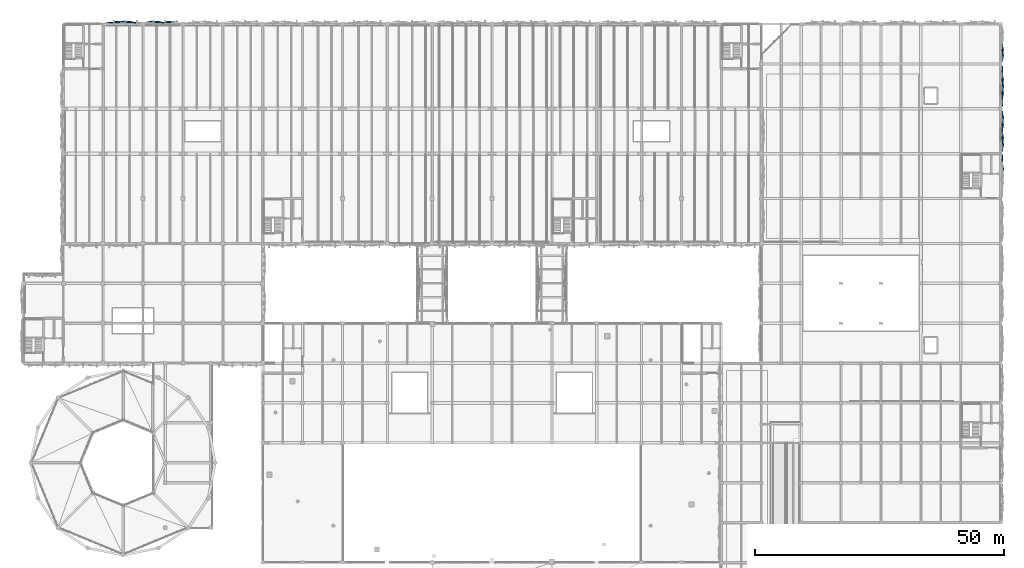
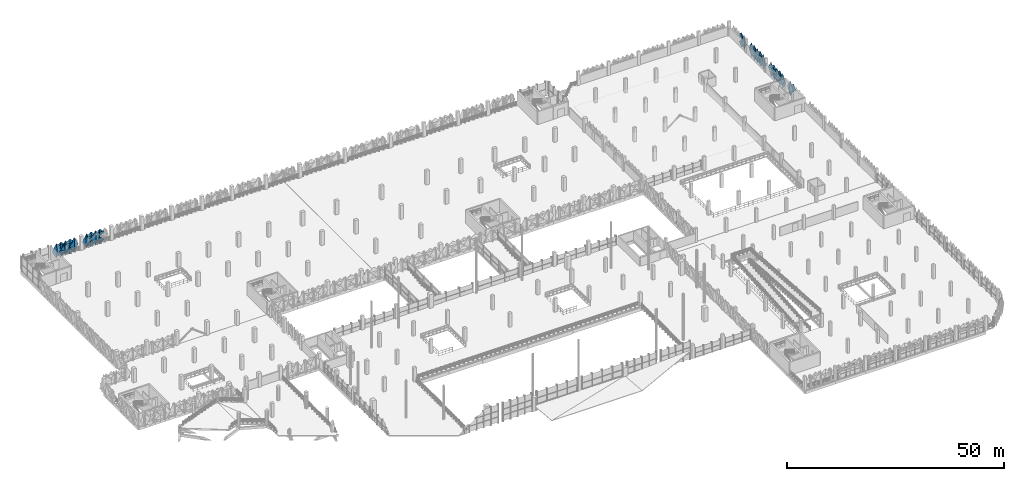
# One storey, part 101 of 123: 32 plates.
"""IFC4 building model written with IfcOpenShell, lengths in metres."""

from ifc_helpers import new_model, si_unit, derived_unit, direction, frame, origin, place, context, subcontext, project, spatial, polygons, material, layer, layer_set, type_object, element, save


model = new_model("IFC4")

# Units and contexts
model_context = context("Model", 3, precision=1e-05, world=origin(), true_north=direction((0.0, 1.0)))
body_context = subcontext(model_context, "Body", "Model", "MODEL_VIEW")
ifc_project = project(units=[si_unit("LENGTHUNIT", "METRE"), si_unit("AREAUNIT", "SQUARE_METRE"), si_unit("VOLUMEUNIT", "CUBIC_METRE"), si_unit("PLANEANGLEUNIT", "RADIAN"), si_unit("MASSUNIT", "GRAM", prefix="KILO"), si_unit("THERMODYNAMICTEMPERATUREUNIT", "KELVIN"), derived_unit("THERMALTRANSMITTANCEUNIT", [(si_unit("POWERUNIT", "WATT"), 1), (si_unit("AREAUNIT", "SQUARE_METRE"), -1), (si_unit("THERMODYNAMICTEMPERATUREUNIT", "KELVIN"), -1)])], contexts=[model_context])

# Site, building, storey
site_placement = place(None, origin())
site = spatial("IfcSite", under=ifc_project, at=site_placement, CompositionType="ELEMENT")
building_placement = place(site_placement, origin())
building = spatial("IfcBuilding", under=site, at=building_placement, Name="Haiyu Intermodal Mobility Hub", CompositionType="ELEMENT")
storey_placement = place(building_placement, frame((0.0, 0.0, 5.60009765625)))
storey = spatial("IfcBuildingStorey", under=building, at=storey_placement, Name="L01", CompositionType="ELEMENT", Elevation=5.60009765625)

# Plates
ifc_material = material(Name="Anodised aluminium 6063-T6", Category="aluminium")
ifc_layer_1 = layer(ifc_material, 0.01806640625)
ifc_layer_set_1 = layer_set([ifc_layer_1], Name="Anodised aluminium 6063-T6")
plate_type_1 = type_object("IfcPlateType", Name="PLT-FC03", PredefinedType="USERDEFINED", material=ifc_layer_set_1)
plate_1_placement = place(storey_placement, origin())
element("IfcPlate", 1, at=plate_1_placement, inside=storey, type_object=plate_type_1, Name="PLT-PYR-0002", ObjectType="FACADE CASSETTE", PredefinedType="USERDEFINED", context=body_context, shape_type="Tessellation", body=[
    polygons([(35.173095703125, 148.39990234375, -0.52001953125), (34.02001953125, 148.39990234375, 0.52978515625), (35.173095703125, 148.39990234375, 1.579833984375), (36.326904296875, 148.39990234375, 0.52978515625), (35.173095703125, 148.659912109375, 0.52978515625), (35.173095703125, 148.3779296875, -0.52001953125), (34.02001953125, 148.3779296875, 0.52978515625), (35.173095703125, 148.3779296875, 1.579833984375), (36.326904296875, 148.3779296875, 0.52978515625), (35.173095703125, 148.637939453125, 0.52978515625)], [[[1, 2, 5]], [[2, 3, 5]], [[3, 4, 5]], [[4, 1, 5]], [[7, 6, 10]], [[8, 7, 10]], [[9, 8, 10]], [[6, 9, 10]], [[1, 6, 7, 2]], [[2, 7, 8, 3]], [[3, 8, 9, 4]], [[4, 9, 6, 1]]], closed=True),
])
plate_2_placement = place(storey_placement, origin())
element("IfcPlate", 2, at=plate_2_placement, inside=storey, type_object=plate_type_1, Name="PLT-PYR-0040", ObjectType="FACADE CASSETTE", PredefinedType="USERDEFINED", context=body_context, shape_type="Tessellation", body=[
    polygons([(40.826904296875, 148.39990234375, -0.52001953125), (39.673095703125, 148.39990234375, 0.52978515625), (40.826904296875, 148.39990234375, 1.579833984375), (41.97998046875, 148.39990234375, 0.52978515625), (40.826904296875, 148.659912109375, 0.52978515625), (40.826904296875, 148.3779296875, -0.52001953125), (39.673095703125, 148.3779296875, 0.52978515625), (40.826904296875, 148.3779296875, 1.579833984375), (41.97998046875, 148.3779296875, 0.52978515625), (40.826904296875, 148.637939453125, 0.52978515625)], [[[1, 2, 5]], [[2, 3, 5]], [[3, 4, 5]], [[4, 1, 5]], [[7, 6, 10]], [[8, 7, 10]], [[9, 8, 10]], [[6, 9, 10]], [[1, 6, 7, 2]], [[2, 7, 8, 3]], [[3, 8, 9, 4]], [[4, 9, 6, 1]]], closed=True),
])
plate_3_placement = place(storey_placement, origin())
element("IfcPlate", 3, at=plate_3_placement, inside=storey, type_object=plate_type_1, Name="PLT-PYR-1050", ObjectType="FACADE CASSETTE", PredefinedType="USERDEFINED", context=body_context, shape_type="Tessellation", body=[
    polygons([(210.39990234375, 123.820068359375, -0.510009765625), (210.39990234375, 125.139892578125, 1.599853515625), (210.39990234375, 123.820068359375, 3.7099609375), (210.39990234375, 122.5, 1.599853515625), (210.679931640625, 123.820068359375, 1.599853515625), (210.3779296875, 123.820068359375, -0.510009765625), (210.3779296875, 125.139892578125, 1.599853515625), (210.3779296875, 123.820068359375, 3.7099609375), (210.3779296875, 122.5, 1.599853515625), (210.657958984375, 123.820068359375, 1.599853515625)], [[[1, 2, 5]], [[2, 3, 5]], [[3, 4, 5]], [[4, 1, 5]], [[7, 6, 10]], [[8, 7, 10]], [[9, 8, 10]], [[6, 9, 10]], [[1, 6, 7, 2]], [[2, 7, 8, 3]], [[3, 8, 9, 4]], [[4, 9, 6, 1]]], closed=True),
])
plate_4_placement = place(storey_placement, origin())
element("IfcPlate", 4, at=plate_4_placement, inside=storey, type_object=plate_type_1, Name="PLT-PYR-1054", ObjectType="FACADE CASSETTE", PredefinedType="USERDEFINED", context=body_context, shape_type="Tessellation", body=[
    polygons([(210.39990234375, 127.840087890625, -0.52001953125), (210.39990234375, 129.159912109375, 0.52978515625), (210.39990234375, 127.840087890625, 1.579833984375), (210.39990234375, 126.52001953125, 0.52978515625), (210.659912109375, 127.840087890625, 0.52978515625), (210.3779296875, 127.840087890625, -0.52001953125), (210.3779296875, 129.159912109375, 0.52978515625), (210.3779296875, 127.840087890625, 1.579833984375), (210.3779296875, 126.52001953125, 0.52978515625), (210.637939453125, 127.840087890625, 0.52978515625)], [[[1, 2, 5]], [[2, 3, 5]], [[3, 4, 5]], [[4, 1, 5]], [[7, 6, 10]], [[8, 7, 10]], [[9, 8, 10]], [[6, 9, 10]], [[1, 6, 7, 2]], [[2, 7, 8, 3]], [[3, 8, 9, 4]], [[4, 9, 6, 1]]], closed=True),
])
plate_5_placement = place(storey_placement, origin())
element("IfcPlate", 5, at=plate_5_placement, inside=storey, type_object=plate_type_1, Name="PLT-PYR-1058", ObjectType="FACADE CASSETTE", PredefinedType="USERDEFINED", context=body_context, shape_type="Tessellation", body=[
    polygons([(210.39990234375, 134.159912109375, -0.52001953125), (210.39990234375, 135.47998046875, 0.52978515625), (210.39990234375, 134.159912109375, 1.579833984375), (210.39990234375, 132.840087890625, 0.52978515625), (210.659912109375, 134.159912109375, 0.52978515625), (210.3779296875, 134.159912109375, -0.52001953125), (210.3779296875, 135.47998046875, 0.52978515625), (210.3779296875, 134.159912109375, 1.579833984375), (210.3779296875, 132.840087890625, 0.52978515625), (210.637939453125, 134.159912109375, 0.52978515625)], [[[1, 2, 5]], [[2, 3, 5]], [[3, 4, 5]], [[4, 1, 5]], [[7, 6, 10]], [[8, 7, 10]], [[9, 8, 10]], [[6, 9, 10]], [[1, 6, 7, 2]], [[2, 7, 8, 3]], [[3, 8, 9, 4]], [[4, 9, 6, 1]]], closed=True),
])
plate_6_placement = place(storey_placement, origin())
element("IfcPlate", 6, at=plate_6_placement, inside=storey, type_object=plate_type_1, Name="PLT-PYR-1064", ObjectType="FACADE CASSETTE", PredefinedType="USERDEFINED", context=body_context, shape_type="Tessellation", body=[
    polygons([(210.39990234375, 141.653076171875, -0.510009765625), (210.39990234375, 142.806884765625, 1.599853515625), (210.39990234375, 141.653076171875, 3.7099609375), (210.39990234375, 140.5, 1.599853515625), (210.679931640625, 141.653076171875, 1.599853515625), (210.3779296875, 141.653076171875, -0.510009765625), (210.3779296875, 142.806884765625, 1.599853515625), (210.3779296875, 141.653076171875, 3.7099609375), (210.3779296875, 140.5, 1.599853515625), (210.657958984375, 141.653076171875, 1.599853515625)], [[[1, 2, 5]], [[2, 3, 5]], [[3, 4, 5]], [[4, 1, 5]], [[7, 6, 10]], [[8, 7, 10]], [[9, 8, 10]], [[6, 9, 10]], [[1, 6, 7, 2]], [[2, 7, 8, 3]], [[3, 8, 9, 4]], [[4, 9, 6, 1]]], closed=True),
])
ifc_layer_2 = layer(ifc_material, 0.02001953125)
ifc_layer_set_2 = layer_set([ifc_layer_2], Name="Anodised aluminium 6063-T6")
plate_type_2 = type_object("IfcPlateType", Name="PLT-FC04", PredefinedType="USERDEFINED", material=ifc_layer_set_2)
plate_7_placement = place(storey_placement, origin())
element("IfcPlate", 7, at=plate_7_placement, inside=storey, type_object=plate_type_2, Name="PLT-PYR-0001", ObjectType="FACADE CASSETTE", PredefinedType="USERDEFINED", context=body_context, shape_type="Tessellation", body=[
    polygons([(36.346923828125, 148.39990234375, -0.510009765625), (35.193115234375, 148.39990234375, 1.599853515625), (36.346923828125, 148.39990234375, 3.7099609375), (37.5, 148.39990234375, 1.599853515625), (36.346923828125, 148.139892578125, 1.599853515625), (36.346923828125, 148.3779296875, -0.510009765625), (35.193115234375, 148.3779296875, 1.599853515625), (36.346923828125, 148.3779296875, 3.7099609375), (37.5, 148.3779296875, 1.599853515625), (36.346923828125, 148.117919921875, 1.599853515625)], [[[1, 2, 5]], [[2, 3, 5]], [[3, 4, 5]], [[4, 1, 5]], [[7, 6, 10]], [[8, 7, 10]], [[9, 8, 10]], [[6, 9, 10]], [[1, 6, 7, 2]], [[2, 7, 8, 3]], [[3, 8, 9, 4]], [[4, 9, 6, 1]]], closed=True),
])
plate_8_placement = place(storey_placement, origin())
element("IfcPlate", 8, at=plate_8_placement, inside=storey, type_object=plate_type_2, Name="PLT-PYR-0005", ObjectType="FACADE CASSETTE", PredefinedType="USERDEFINED", context=body_context, shape_type="Tessellation", body=[
    polygons([(32.826904296875, 148.39990234375, -0.52001953125), (31.673095703125, 148.39990234375, 0.52978515625), (32.826904296875, 148.39990234375, 1.579833984375), (33.97998046875, 148.39990234375, 0.52978515625), (32.826904296875, 148.179931640625, 0.52978515625), (32.826904296875, 148.3779296875, -0.52001953125), (31.673095703125, 148.3779296875, 0.52978515625), (32.826904296875, 148.3779296875, 1.579833984375), (33.97998046875, 148.3779296875, 0.52978515625), (32.826904296875, 148.157958984375, 0.52978515625)], [[[1, 2, 5]], [[2, 3, 5]], [[3, 4, 5]], [[4, 1, 5]], [[7, 6, 10]], [[8, 7, 10]], [[9, 8, 10]], [[6, 9, 10]], [[1, 6, 7, 2]], [[2, 7, 8, 3]], [[3, 8, 9, 4]], [[4, 9, 6, 1]]], closed=True),
])
plate_9_placement = place(storey_placement, origin())
element("IfcPlate", 9, at=plate_9_placement, inside=storey, type_object=plate_type_2, Name="PLT-PYR-0037", ObjectType="FACADE CASSETTE", PredefinedType="USERDEFINED", context=body_context, shape_type="Tessellation", body=[
    polygons([(43.173095703125, 148.39990234375, -0.52001953125), (42.02001953125, 148.39990234375, 0.52978515625), (43.173095703125, 148.39990234375, 1.579833984375), (44.326904296875, 148.39990234375, 0.52978515625), (43.173095703125, 148.179931640625, 0.52978515625), (43.173095703125, 148.3779296875, -0.52001953125), (42.02001953125, 148.3779296875, 0.52978515625), (43.173095703125, 148.3779296875, 1.579833984375), (44.326904296875, 148.3779296875, 0.52978515625), (43.173095703125, 148.157958984375, 0.52978515625)], [[[1, 2, 5]], [[2, 3, 5]], [[3, 4, 5]], [[4, 1, 5]], [[7, 6, 10]], [[8, 7, 10]], [[9, 8, 10]], [[6, 9, 10]], [[1, 6, 7, 2]], [[2, 7, 8, 3]], [[3, 8, 9, 4]], [[4, 9, 6, 1]]], closed=True),
])
plate_10_placement = place(storey_placement, origin())
element("IfcPlate", 10, at=plate_10_placement, inside=storey, type_object=plate_type_2, Name="PLT-PYR-1051", ObjectType="FACADE CASSETTE", PredefinedType="USERDEFINED", context=body_context, shape_type="Tessellation", body=[
    polygons([(210.39990234375, 125.159912109375, -0.52001953125), (210.39990234375, 126.47998046875, 0.52978515625), (210.39990234375, 125.159912109375, 1.579833984375), (210.39990234375, 123.840087890625, 0.52978515625), (210.179931640625, 125.159912109375, 0.52978515625), (210.3779296875, 125.159912109375, -0.52001953125), (210.3779296875, 126.47998046875, 0.52978515625), (210.3779296875, 125.159912109375, 1.579833984375), (210.3779296875, 123.840087890625, 0.52978515625), (210.157958984375, 125.159912109375, 0.52978515625)], [[[1, 2, 5]], [[2, 3, 5]], [[3, 4, 5]], [[4, 1, 5]], [[7, 6, 10]], [[8, 7, 10]], [[9, 8, 10]], [[6, 9, 10]], [[1, 6, 7, 2]], [[2, 7, 8, 3]], [[3, 8, 9, 4]], [[4, 9, 6, 1]]], closed=True),
])
plate_11_placement = place(storey_placement, origin())
element("IfcPlate", 11, at=plate_11_placement, inside=storey, type_object=plate_type_2, Name="PLT-PYR-1057", ObjectType="FACADE CASSETTE", PredefinedType="USERDEFINED", context=body_context, shape_type="Tessellation", body=[
    polygons([(210.39990234375, 132.820068359375, -0.510009765625), (210.39990234375, 134.139892578125, 1.599853515625), (210.39990234375, 132.820068359375, 3.7099609375), (210.39990234375, 131.5, 1.599853515625), (210.139892578125, 132.820068359375, 1.599853515625), (210.3779296875, 132.820068359375, -0.510009765625), (210.3779296875, 134.139892578125, 1.599853515625), (210.3779296875, 132.820068359375, 3.7099609375), (210.3779296875, 131.5, 1.599853515625), (210.117919921875, 132.820068359375, 1.599853515625)], [[[1, 2, 5]], [[2, 3, 5]], [[3, 4, 5]], [[4, 1, 5]], [[7, 6, 10]], [[8, 7, 10]], [[9, 8, 10]], [[6, 9, 10]], [[1, 6, 7, 2]], [[2, 7, 8, 3]], [[3, 8, 9, 4]], [[4, 9, 6, 1]]], closed=True),
])
plate_12_placement = place(storey_placement, origin())
element("IfcPlate", 12, at=plate_12_placement, inside=storey, type_object=plate_type_2, Name="PLT-PYR-1061", ObjectType="FACADE CASSETTE", PredefinedType="USERDEFINED", context=body_context, shape_type="Tessellation", body=[
    polygons([(210.39990234375, 136.840087890625, -0.52001953125), (210.39990234375, 138.159912109375, 0.52978515625), (210.39990234375, 136.840087890625, 1.579833984375), (210.39990234375, 135.52001953125, 0.52978515625), (210.179931640625, 136.840087890625, 0.52978515625), (210.3779296875, 136.840087890625, -0.52001953125), (210.3779296875, 138.159912109375, 0.52978515625), (210.3779296875, 136.840087890625, 1.579833984375), (210.3779296875, 135.52001953125, 0.52978515625), (210.157958984375, 136.840087890625, 0.52978515625)], [[[1, 2, 5]], [[2, 3, 5]], [[3, 4, 5]], [[4, 1, 5]], [[7, 6, 10]], [[8, 7, 10]], [[9, 8, 10]], [[6, 9, 10]], [[1, 6, 7, 2]], [[2, 7, 8, 3]], [[3, 8, 9, 4]], [[4, 9, 6, 1]]], closed=True),
])
plate_13_placement = place(storey_placement, origin())
element("IfcPlate", 13, at=plate_13_placement, inside=storey, type_object=plate_type_2, Name="PLT-PYR-1065", ObjectType="FACADE CASSETTE", PredefinedType="USERDEFINED", context=body_context, shape_type="Tessellation", body=[
    polygons([(210.39990234375, 142.826904296875, -0.52001953125), (210.39990234375, 143.97998046875, 0.52978515625), (210.39990234375, 142.826904296875, 1.579833984375), (210.39990234375, 141.673095703125, 0.52978515625), (210.179931640625, 142.826904296875, 0.52978515625), (210.3779296875, 142.826904296875, -0.52001953125), (210.3779296875, 143.97998046875, 0.52978515625), (210.3779296875, 142.826904296875, 1.579833984375), (210.3779296875, 141.673095703125, 0.52978515625), (210.157958984375, 142.826904296875, 0.52978515625)], [[[1, 2, 5]], [[2, 3, 5]], [[3, 4, 5]], [[4, 1, 5]], [[7, 6, 10]], [[8, 7, 10]], [[9, 8, 10]], [[6, 9, 10]], [[1, 6, 7, 2]], [[2, 7, 8, 3]], [[3, 8, 9, 4]], [[4, 9, 6, 1]]], closed=True),
])
ifc_layer_3 = layer(ifc_material, 0.01806640625)
ifc_layer_set_3 = layer_set([ifc_layer_3], Name="Anodised aluminium 6063-T6")
plate_type_3 = type_object("IfcPlateType", Name="PLT-FC05", PredefinedType="USERDEFINED", material=ifc_layer_set_3)
plate_14_placement = place(storey_placement, origin())
element("IfcPlate", 14, at=plate_14_placement, inside=storey, type_object=plate_type_3, Name="PLT-PYR-0004", ObjectType="FACADE CASSETTE", PredefinedType="USERDEFINED", context=body_context, shape_type="Tessellation", body=[
    polygons([(34.0, 148.39990234375, -0.510009765625), (32.846923828125, 148.39990234375, 1.599853515625), (34.0, 148.39990234375, 3.7099609375), (35.153076171875, 148.39990234375, 1.599853515625), (34.0, 148.679931640625, 1.599853515625), (34.0, 148.3779296875, -0.510009765625), (32.846923828125, 148.3779296875, 1.599853515625), (34.0, 148.3779296875, 3.7099609375), (35.153076171875, 148.3779296875, 1.599853515625), (34.0, 148.657958984375, 1.599853515625)], [[[1, 2, 5]], [[2, 3, 5]], [[3, 4, 5]], [[4, 1, 5]], [[7, 6, 10]], [[8, 7, 10]], [[9, 8, 10]], [[6, 9, 10]], [[1, 6, 7, 2]], [[2, 7, 8, 3]], [[3, 8, 9, 4]], [[4, 9, 6, 1]]], closed=True),
])
plate_15_placement = place(storey_placement, origin())
element("IfcPlate", 15, at=plate_15_placement, inside=storey, type_object=plate_type_3, Name="PLT-PYR-0006", ObjectType="FACADE CASSETTE", PredefinedType="USERDEFINED", context=body_context, shape_type="Tessellation", body=[
    polygons([(32.826904296875, 148.39990234375, 1.619873046875), (31.673095703125, 148.39990234375, 2.669921875), (32.826904296875, 148.39990234375, 3.719970703125), (33.97998046875, 148.39990234375, 2.669921875), (32.826904296875, 148.659912109375, 2.669921875), (32.826904296875, 148.3779296875, 1.619873046875), (31.673095703125, 148.3779296875, 2.669921875), (32.826904296875, 148.3779296875, 3.719970703125), (33.97998046875, 148.3779296875, 2.669921875), (32.826904296875, 148.637939453125, 2.669921875)], [[[1, 2, 5]], [[2, 3, 5]], [[3, 4, 5]], [[4, 1, 5]], [[7, 6, 10]], [[8, 7, 10]], [[9, 8, 10]], [[6, 9, 10]], [[1, 6, 7, 2]], [[2, 7, 8, 3]], [[3, 8, 9, 4]], [[4, 9, 6, 1]]], closed=True),
])
plate_16_placement = place(storey_placement, origin())
element("IfcPlate", 16, at=plate_16_placement, inside=storey, type_object=plate_type_3, Name="PLT-PYR-0038", ObjectType="FACADE CASSETTE", PredefinedType="USERDEFINED", context=body_context, shape_type="Tessellation", body=[
    polygons([(43.173095703125, 148.39990234375, 1.619873046875), (42.02001953125, 148.39990234375, 2.669921875), (43.173095703125, 148.39990234375, 3.719970703125), (44.326904296875, 148.39990234375, 2.669921875), (43.173095703125, 148.659912109375, 2.669921875), (43.173095703125, 148.3779296875, 1.619873046875), (42.02001953125, 148.3779296875, 2.669921875), (43.173095703125, 148.3779296875, 3.719970703125), (44.326904296875, 148.3779296875, 2.669921875), (43.173095703125, 148.637939453125, 2.669921875)], [[[1, 2, 5]], [[2, 3, 5]], [[3, 4, 5]], [[4, 1, 5]], [[7, 6, 10]], [[8, 7, 10]], [[9, 8, 10]], [[6, 9, 10]], [[1, 6, 7, 2]], [[2, 7, 8, 3]], [[3, 8, 9, 4]], [[4, 9, 6, 1]]], closed=True),
])
plate_17_placement = place(storey_placement, origin())
element("IfcPlate", 17, at=plate_17_placement, inside=storey, type_object=plate_type_3, Name="PLT-PYR-1052", ObjectType="FACADE CASSETTE", PredefinedType="USERDEFINED", context=body_context, shape_type="Tessellation", body=[
    polygons([(210.39990234375, 125.159912109375, 1.619873046875), (210.39990234375, 126.47998046875, 2.669921875), (210.39990234375, 125.159912109375, 3.719970703125), (210.39990234375, 123.840087890625, 2.669921875), (210.659912109375, 125.159912109375, 2.669921875), (210.3779296875, 125.159912109375, 1.619873046875), (210.3779296875, 126.47998046875, 2.669921875), (210.3779296875, 125.159912109375, 3.719970703125), (210.3779296875, 123.840087890625, 2.669921875), (210.637939453125, 125.159912109375, 2.669921875)], [[[1, 2, 5]], [[2, 3, 5]], [[3, 4, 5]], [[4, 1, 5]], [[7, 6, 10]], [[8, 7, 10]], [[9, 8, 10]], [[6, 9, 10]], [[1, 6, 7, 2]], [[2, 7, 8, 3]], [[3, 8, 9, 4]], [[4, 9, 6, 1]]], closed=True),
])
plate_18_placement = place(storey_placement, origin())
element("IfcPlate", 18, at=plate_18_placement, inside=storey, type_object=plate_type_3, Name="PLT-PYR-1060", ObjectType="FACADE CASSETTE", PredefinedType="USERDEFINED", context=body_context, shape_type="Tessellation", body=[
    polygons([(210.39990234375, 135.5, -0.510009765625), (210.39990234375, 136.820068359375, 1.599853515625), (210.39990234375, 135.5, 3.7099609375), (210.39990234375, 134.179931640625, 1.599853515625), (210.679931640625, 135.5, 1.599853515625), (210.3779296875, 135.5, -0.510009765625), (210.3779296875, 136.820068359375, 1.599853515625), (210.3779296875, 135.5, 3.7099609375), (210.3779296875, 134.179931640625, 1.599853515625), (210.657958984375, 135.5, 1.599853515625)], [[[1, 2, 5]], [[2, 3, 5]], [[3, 4, 5]], [[4, 1, 5]], [[7, 6, 10]], [[8, 7, 10]], [[9, 8, 10]], [[6, 9, 10]], [[1, 6, 7, 2]], [[2, 7, 8, 3]], [[3, 8, 9, 4]], [[4, 9, 6, 1]]], closed=True),
])
plate_19_placement = place(storey_placement, origin())
element("IfcPlate", 19, at=plate_19_placement, inside=storey, type_object=plate_type_3, Name="PLT-PYR-1062", ObjectType="FACADE CASSETTE", PredefinedType="USERDEFINED", context=body_context, shape_type="Tessellation", body=[
    polygons([(210.39990234375, 136.840087890625, 1.619873046875), (210.39990234375, 138.159912109375, 2.669921875), (210.39990234375, 136.840087890625, 3.719970703125), (210.39990234375, 135.52001953125, 2.669921875), (210.659912109375, 136.840087890625, 2.669921875), (210.3779296875, 136.840087890625, 1.619873046875), (210.3779296875, 138.159912109375, 2.669921875), (210.3779296875, 136.840087890625, 3.719970703125), (210.3779296875, 135.52001953125, 2.669921875), (210.637939453125, 136.840087890625, 2.669921875)], [[[1, 2, 5]], [[2, 3, 5]], [[3, 4, 5]], [[4, 1, 5]], [[7, 6, 10]], [[8, 7, 10]], [[9, 8, 10]], [[6, 9, 10]], [[1, 6, 7, 2]], [[2, 7, 8, 3]], [[3, 8, 9, 4]], [[4, 9, 6, 1]]], closed=True),
])
plate_20_placement = place(storey_placement, origin())
element("IfcPlate", 20, at=plate_20_placement, inside=storey, type_object=plate_type_3, Name="PLT-PYR-1066", ObjectType="FACADE CASSETTE", PredefinedType="USERDEFINED", context=body_context, shape_type="Tessellation", body=[
    polygons([(210.39990234375, 142.826904296875, 1.619873046875), (210.39990234375, 143.97998046875, 2.669921875), (210.39990234375, 142.826904296875, 3.719970703125), (210.39990234375, 141.673095703125, 2.669921875), (210.659912109375, 142.826904296875, 2.669921875), (210.3779296875, 142.826904296875, 1.619873046875), (210.3779296875, 143.97998046875, 2.669921875), (210.3779296875, 142.826904296875, 3.719970703125), (210.3779296875, 141.673095703125, 2.669921875), (210.637939453125, 142.826904296875, 2.669921875)], [[[1, 2, 5]], [[2, 3, 5]], [[3, 4, 5]], [[4, 1, 5]], [[7, 6, 10]], [[8, 7, 10]], [[9, 8, 10]], [[6, 9, 10]], [[1, 6, 7, 2]], [[2, 7, 8, 3]], [[3, 8, 9, 4]], [[4, 9, 6, 1]]], closed=True),
])
plate_21_placement = place(storey_placement, origin())
element("IfcPlate", 21, at=plate_21_placement, inside=storey, type_object=plate_type_3, Name="PLT-PYR-1393", ObjectType="FACADE CASSETTE", PredefinedType="USERDEFINED", context=body_context, shape_type="Tessellation", body=[
    polygons([(210.39990234375, 118.93310546875, 1.619873046875), (210.39990234375, 120.346923828125, 2.669921875), (210.39990234375, 118.93310546875, 3.719970703125), (210.39990234375, 117.52001953125, 2.669921875), (210.659912109375, 118.93310546875, 2.669921875), (210.3779296875, 118.93310546875, 1.619873046875), (210.3779296875, 120.346923828125, 2.669921875), (210.3779296875, 118.93310546875, 3.719970703125), (210.3779296875, 117.52001953125, 2.669921875), (210.637939453125, 118.93310546875, 2.669921875)], [[[1, 2, 5]], [[2, 3, 5]], [[3, 4, 5]], [[4, 1, 5]], [[7, 6, 10]], [[8, 7, 10]], [[9, 8, 10]], [[6, 9, 10]], [[1, 6, 7, 2]], [[2, 7, 8, 3]], [[3, 8, 9, 4]], [[4, 9, 6, 1]]], closed=True),
])
ifc_layer_4 = layer(ifc_material, 0.02001953125)
ifc_layer_set_4 = layer_set([ifc_layer_4], Name="Anodised aluminium 6063-T6")
plate_type_4 = type_object("IfcPlateType", Name="PLT-FC06", PredefinedType="USERDEFINED", material=ifc_layer_set_4)
plate_22_placement = place(storey_placement, origin())
element("IfcPlate", 22, at=plate_22_placement, inside=storey, type_object=plate_type_4, Name="PLT-PYR-0003", ObjectType="FACADE CASSETTE", PredefinedType="USERDEFINED", context=body_context, shape_type="Tessellation", body=[
    polygons([(35.173095703125, 148.39990234375, 1.619873046875), (34.02001953125, 148.39990234375, 2.669921875), (35.173095703125, 148.39990234375, 3.719970703125), (36.326904296875, 148.39990234375, 2.669921875), (35.173095703125, 148.179931640625, 2.669921875), (35.173095703125, 148.3779296875, 1.619873046875), (34.02001953125, 148.3779296875, 2.669921875), (35.173095703125, 148.3779296875, 3.719970703125), (36.326904296875, 148.3779296875, 2.669921875), (35.173095703125, 148.157958984375, 2.669921875)], [[[1, 2, 5]], [[2, 3, 5]], [[3, 4, 5]], [[4, 1, 5]], [[7, 6, 10]], [[8, 7, 10]], [[9, 8, 10]], [[6, 9, 10]], [[1, 6, 7, 2]], [[2, 7, 8, 3]], [[3, 8, 9, 4]], [[4, 9, 6, 1]]], closed=True),
])
plate_23_placement = place(storey_placement, origin())
element("IfcPlate", 23, at=plate_23_placement, inside=storey, type_object=plate_type_4, Name="PLT-PYR-0039", ObjectType="FACADE CASSETTE", PredefinedType="USERDEFINED", context=body_context, shape_type="Tessellation", body=[
    polygons([(42.0, 148.39990234375, -0.510009765625), (40.846923828125, 148.39990234375, 1.599853515625), (42.0, 148.39990234375, 3.7099609375), (43.153076171875, 148.39990234375, 1.599853515625), (42.0, 148.139892578125, 1.599853515625), (42.0, 148.3779296875, -0.510009765625), (40.846923828125, 148.3779296875, 1.599853515625), (42.0, 148.3779296875, 3.7099609375), (43.153076171875, 148.3779296875, 1.599853515625), (42.0, 148.117919921875, 1.599853515625)], [[[1, 2, 5]], [[2, 3, 5]], [[3, 4, 5]], [[4, 1, 5]], [[7, 6, 10]], [[8, 7, 10]], [[9, 8, 10]], [[6, 9, 10]], [[1, 6, 7, 2]], [[2, 7, 8, 3]], [[3, 8, 9, 4]], [[4, 9, 6, 1]]], closed=True),
])
plate_24_placement = place(storey_placement, origin())
element("IfcPlate", 24, at=plate_24_placement, inside=storey, type_object=plate_type_4, Name="PLT-PYR-0041", ObjectType="FACADE CASSETTE", PredefinedType="USERDEFINED", context=body_context, shape_type="Tessellation", body=[
    polygons([(40.826904296875, 148.39990234375, 1.619873046875), (39.673095703125, 148.39990234375, 2.669921875), (40.826904296875, 148.39990234375, 3.719970703125), (41.97998046875, 148.39990234375, 2.669921875), (40.826904296875, 148.179931640625, 2.669921875), (40.826904296875, 148.3779296875, 1.619873046875), (39.673095703125, 148.3779296875, 2.669921875), (40.826904296875, 148.3779296875, 3.719970703125), (41.97998046875, 148.3779296875, 2.669921875), (40.826904296875, 148.157958984375, 2.669921875)], [[[1, 2, 5]], [[2, 3, 5]], [[3, 4, 5]], [[4, 1, 5]], [[7, 6, 10]], [[8, 7, 10]], [[9, 8, 10]], [[6, 9, 10]], [[1, 6, 7, 2]], [[2, 7, 8, 3]], [[3, 8, 9, 4]], [[4, 9, 6, 1]]], closed=True),
])
plate_25_placement = place(storey_placement, origin())
element("IfcPlate", 25, at=plate_25_placement, inside=storey, type_object=plate_type_4, Name="PLT-PYR-1053", ObjectType="FACADE CASSETTE", PredefinedType="USERDEFINED", context=body_context, shape_type="Tessellation", body=[
    polygons([(210.39990234375, 126.5, -0.510009765625), (210.39990234375, 127.820068359375, 1.599853515625), (210.39990234375, 126.5, 3.7099609375), (210.39990234375, 125.179931640625, 1.599853515625), (210.139892578125, 126.5, 1.599853515625), (210.3779296875, 126.5, -0.510009765625), (210.3779296875, 127.820068359375, 1.599853515625), (210.3779296875, 126.5, 3.7099609375), (210.3779296875, 125.179931640625, 1.599853515625), (210.117919921875, 126.5, 1.599853515625)], [[[1, 2, 5]], [[2, 3, 5]], [[3, 4, 5]], [[4, 1, 5]], [[7, 6, 10]], [[8, 7, 10]], [[9, 8, 10]], [[6, 9, 10]], [[1, 6, 7, 2]], [[2, 7, 8, 3]], [[3, 8, 9, 4]], [[4, 9, 6, 1]]], closed=True),
])
plate_26_placement = place(storey_placement, origin())
element("IfcPlate", 26, at=plate_26_placement, inside=storey, type_object=plate_type_4, Name="PLT-PYR-1055", ObjectType="FACADE CASSETTE", PredefinedType="USERDEFINED", context=body_context, shape_type="Tessellation", body=[
    polygons([(210.39990234375, 127.840087890625, 1.619873046875), (210.39990234375, 129.159912109375, 2.669921875), (210.39990234375, 127.840087890625, 3.719970703125), (210.39990234375, 126.52001953125, 2.669921875), (210.179931640625, 127.840087890625, 2.669921875), (210.3779296875, 127.840087890625, 1.619873046875), (210.3779296875, 129.159912109375, 2.669921875), (210.3779296875, 127.840087890625, 3.719970703125), (210.3779296875, 126.52001953125, 2.669921875), (210.157958984375, 127.840087890625, 2.669921875)], [[[1, 2, 5]], [[2, 3, 5]], [[3, 4, 5]], [[4, 1, 5]], [[7, 6, 10]], [[8, 7, 10]], [[9, 8, 10]], [[6, 9, 10]], [[1, 6, 7, 2]], [[2, 7, 8, 3]], [[3, 8, 9, 4]], [[4, 9, 6, 1]]], closed=True),
])
plate_27_placement = place(storey_placement, origin())
element("IfcPlate", 27, at=plate_27_placement, inside=storey, type_object=plate_type_4, Name="PLT-PYR-1059", ObjectType="FACADE CASSETTE", PredefinedType="USERDEFINED", context=body_context, shape_type="Tessellation", body=[
    polygons([(210.39990234375, 134.159912109375, 1.619873046875), (210.39990234375, 135.47998046875, 2.669921875), (210.39990234375, 134.159912109375, 3.719970703125), (210.39990234375, 132.840087890625, 2.669921875), (210.179931640625, 134.159912109375, 2.669921875), (210.3779296875, 134.159912109375, 1.619873046875), (210.3779296875, 135.47998046875, 2.669921875), (210.3779296875, 134.159912109375, 3.719970703125), (210.3779296875, 132.840087890625, 2.669921875), (210.157958984375, 134.159912109375, 2.669921875)], [[[1, 2, 5]], [[2, 3, 5]], [[3, 4, 5]], [[4, 1, 5]], [[7, 6, 10]], [[8, 7, 10]], [[9, 8, 10]], [[6, 9, 10]], [[1, 6, 7, 2]], [[2, 7, 8, 3]], [[3, 8, 9, 4]], [[4, 9, 6, 1]]], closed=True),
])
ifc_layer_5 = layer(ifc_material, 0.02197265625)
ifc_layer_set_5 = layer_set([ifc_layer_5], Name="Anodised aluminium 6063-T6")
plate_type_5 = type_object("IfcPlateType", Name="PLT-FC07", PredefinedType="USERDEFINED", material=ifc_layer_set_5)
plate_28_placement = place(storey_placement, origin())
element("IfcPlate", 28, at=plate_28_placement, inside=storey, type_object=plate_type_5, Name="PLT-PYR-0042", ObjectType="FACADE CASSETTE", PredefinedType="USERDEFINED", context=body_context, shape_type="Tessellation", body=[
    polygons([(39.653076171875, 148.39990234375, -0.510009765625), (38.5, 148.39990234375, 1.599853515625), (39.653076171875, 148.39990234375, 3.7099609375), (40.806884765625, 148.39990234375, 1.599853515625), (39.653076171875, 148.679931640625, 1.599853515625), (39.653076171875, 148.3779296875, -0.510009765625), (38.5, 148.3779296875, 1.599853515625), (39.653076171875, 148.3779296875, 3.7099609375), (40.806884765625, 148.3779296875, 1.599853515625), (39.653076171875, 148.657958984375, 1.599853515625)], [[[1, 2, 5]], [[2, 3, 5]], [[3, 4, 5]], [[4, 1, 5]], [[7, 6, 10]], [[8, 7, 10]], [[9, 8, 10]], [[6, 9, 10]], [[1, 6, 7, 2]], [[2, 7, 8, 3]], [[3, 8, 9, 4]], [[4, 9, 6, 1]]], closed=True),
])
plate_29_placement = place(storey_placement, origin())
element("IfcPlate", 29, at=plate_29_placement, inside=storey, type_object=plate_type_5, Name="PLT-PYR-1056", ObjectType="FACADE CASSETTE", PredefinedType="USERDEFINED", context=body_context, shape_type="Tessellation", body=[
    polygons([(210.39990234375, 129.179931640625, -0.510009765625), (210.39990234375, 130.5, 1.599853515625), (210.39990234375, 129.179931640625, 3.7099609375), (210.39990234375, 127.860107421875, 1.599853515625), (210.679931640625, 129.179931640625, 1.599853515625), (210.3779296875, 129.179931640625, -0.510009765625), (210.3779296875, 130.5, 1.599853515625), (210.3779296875, 129.179931640625, 3.7099609375), (210.3779296875, 127.860107421875, 1.599853515625), (210.657958984375, 129.179931640625, 1.599853515625)], [[[1, 2, 5]], [[2, 3, 5]], [[3, 4, 5]], [[4, 1, 5]], [[7, 6, 10]], [[8, 7, 10]], [[9, 8, 10]], [[6, 9, 10]], [[1, 6, 7, 2]], [[2, 7, 8, 3]], [[3, 8, 9, 4]], [[4, 9, 6, 1]]], closed=True),
])
ifc_layer_6 = layer(ifc_material, 0.02392578125)
ifc_layer_set_6 = layer_set([ifc_layer_6], Name="Anodised aluminium 6063-T6")
plate_type_6 = type_object("IfcPlateType", Name="PLT-FC08", PredefinedType="USERDEFINED", material=ifc_layer_set_6)
plate_30_placement = place(storey_placement, origin())
element("IfcPlate", 30, at=plate_30_placement, inside=storey, type_object=plate_type_6, Name="PLT-PYR-0007", ObjectType="FACADE CASSETTE", PredefinedType="USERDEFINED", context=body_context, shape_type="Tessellation", body=[
    polygons([(31.653076171875, 148.39990234375, -0.510009765625), (30.5, 148.39990234375, 1.599853515625), (31.653076171875, 148.39990234375, 3.7099609375), (32.806884765625, 148.39990234375, 1.599853515625), (31.653076171875, 148.139892578125, 1.599853515625), (31.653076171875, 148.3779296875, -0.510009765625), (30.5, 148.3779296875, 1.599853515625), (31.653076171875, 148.3779296875, 3.7099609375), (32.806884765625, 148.3779296875, 1.599853515625), (31.653076171875, 148.117919921875, 1.599853515625)], [[[1, 2, 5]], [[2, 3, 5]], [[3, 4, 5]], [[4, 1, 5]], [[7, 6, 10]], [[8, 7, 10]], [[9, 8, 10]], [[6, 9, 10]], [[1, 6, 7, 2]], [[2, 7, 8, 3]], [[3, 8, 9, 4]], [[4, 9, 6, 1]]], closed=True),
])
plate_31_placement = place(storey_placement, origin())
element("IfcPlate", 31, at=plate_31_placement, inside=storey, type_object=plate_type_6, Name="PLT-PYR-1063", ObjectType="FACADE CASSETTE", PredefinedType="USERDEFINED", context=body_context, shape_type="Tessellation", body=[
    polygons([(210.39990234375, 138.179931640625, -0.510009765625), (210.39990234375, 139.5, 1.599853515625), (210.39990234375, 138.179931640625, 3.7099609375), (210.39990234375, 136.860107421875, 1.599853515625), (210.139892578125, 138.179931640625, 1.599853515625), (210.3779296875, 138.179931640625, -0.510009765625), (210.3779296875, 139.5, 1.599853515625), (210.3779296875, 138.179931640625, 3.7099609375), (210.3779296875, 136.860107421875, 1.599853515625), (210.117919921875, 138.179931640625, 1.599853515625)], [[[1, 2, 5]], [[2, 3, 5]], [[3, 4, 5]], [[4, 1, 5]], [[7, 6, 10]], [[8, 7, 10]], [[9, 8, 10]], [[6, 9, 10]], [[1, 6, 7, 2]], [[2, 7, 8, 3]], [[3, 8, 9, 4]], [[4, 9, 6, 1]]], closed=True),
])
plate_32_placement = place(storey_placement, origin())
element("IfcPlate", 32, at=plate_32_placement, inside=storey, type_object=plate_type_6, Name="PLT-PYR-1394", ObjectType="FACADE CASSETTE", PredefinedType="USERDEFINED", context=body_context, shape_type="Tessellation", body=[
    polygons([(210.39990234375, 120.366943359375, -0.510009765625), (210.39990234375, 121.780029296875, 1.599853515625), (210.39990234375, 120.366943359375, 3.7099609375), (210.39990234375, 118.952880859375, 1.599853515625), (210.139892578125, 120.366943359375, 1.599853515625), (210.3779296875, 120.366943359375, -0.510009765625), (210.3779296875, 121.780029296875, 1.599853515625), (210.3779296875, 120.366943359375, 3.7099609375), (210.3779296875, 118.952880859375, 1.599853515625), (210.117919921875, 120.366943359375, 1.599853515625)], [[[1, 2, 5]], [[2, 3, 5]], [[3, 4, 5]], [[4, 1, 5]], [[7, 6, 10]], [[8, 7, 10]], [[9, 8, 10]], [[6, 9, 10]], [[1, 6, 7, 2]], [[2, 7, 8, 3]], [[3, 8, 9, 4]], [[4, 9, 6, 1]]], closed=True),
])

save(model, "model.ifc")
